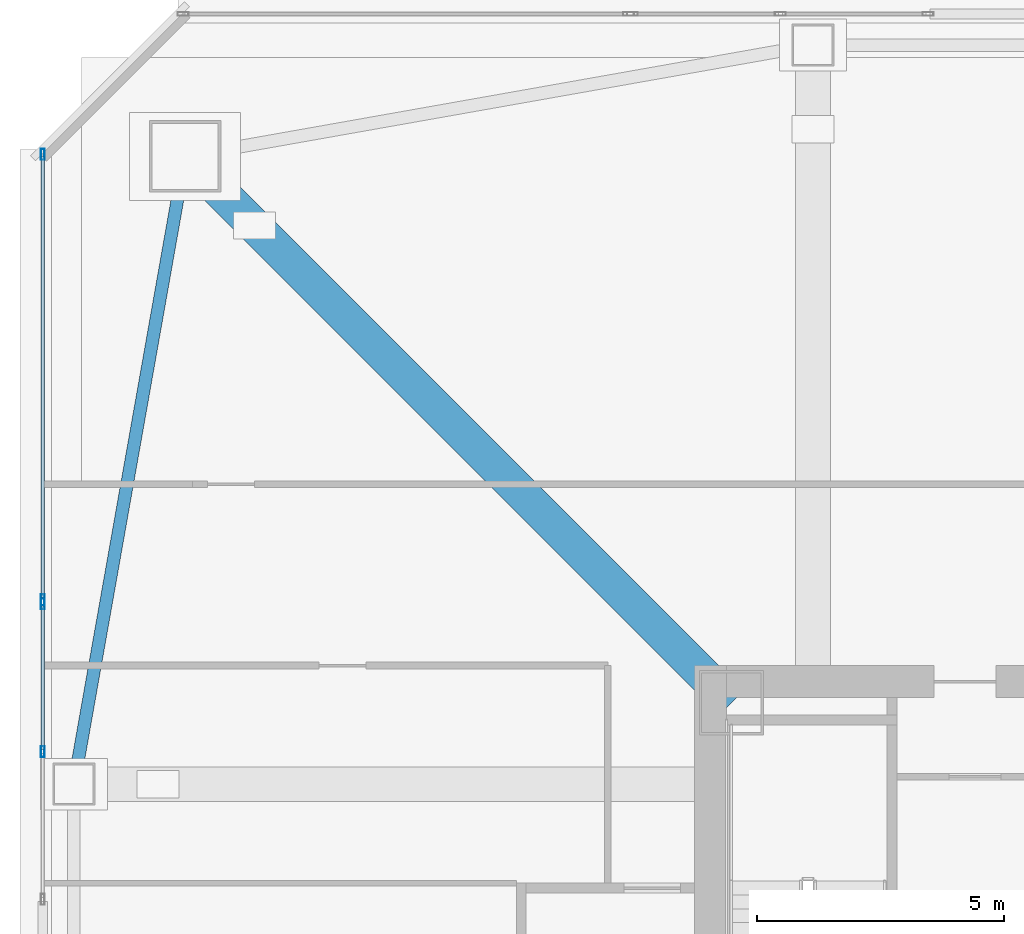
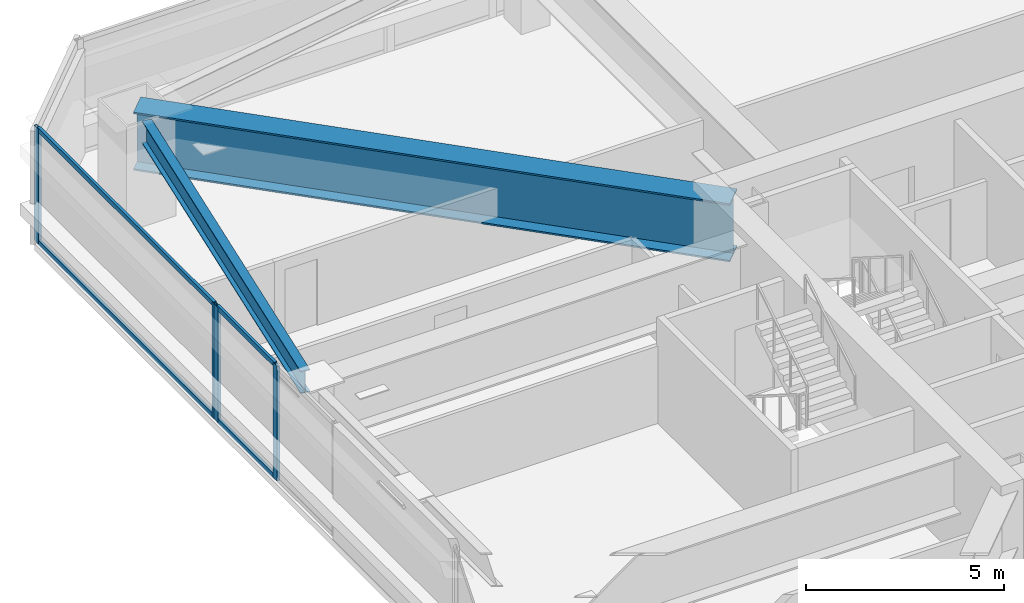
# One storey, part 11 of 49: 8 members, 2 beams, 2 elements without a shape of their own.
"""IFC4 building model written with IfcOpenShell, lengths in metres."""

from ifc_helpers import new_model, si_unit, direction, frame, origin, origin_2d, place, context, subcontext, project, spatial, hollow_rectangle, i_section, extrude, material, material_profile, profile_set, type_object, element, aggregate, save


model = new_model("IFC4")

# Units and contexts
model_context = context("Model", 3, precision=1e-05, world=origin(), true_north=direction((0.0, 1.0)))
body_context = subcontext(model_context, "Body", "Model", "MODEL_VIEW")
ifc_project = project(units=[si_unit("LENGTHUNIT", "METRE"), si_unit("AREAUNIT", "SQUARE_METRE"), si_unit("VOLUMEUNIT", "CUBIC_METRE"), si_unit("PLANEANGLEUNIT", "RADIAN"), si_unit("MASSUNIT", "GRAM", prefix="KILO")], contexts=[model_context])

# Site, building, storey
site_placement = place(None, origin())
site = spatial("IfcSite", under=ifc_project, at=site_placement, CompositionType="ELEMENT")
building_placement = place(site_placement, origin())
building = spatial("IfcBuilding", under=site, at=building_placement, Name="Tashvorn Skyway Center", CompositionType="ELEMENT")
storey_placement = place(building_placement, frame((0.0, 0.0, 106.25)))
storey = spatial("IfcBuildingStorey", under=building, at=storey_placement, Name="L28", CompositionType="ELEMENT", Elevation=106.25)

# Beams
ifc_material_1 = material(Name="Steel ASTM A572 Grade 50", Category="steel")
ifc_material_profile_1 = material_profile(ifc_material_1, i_section(OverallWidth=0.699951171875, OverallDepth=1.800048828125, WebThickness=0.031982421875, FlangeThickness=0.050048828125, at=origin_2d()), Name="PG1800x700")
ifc_profile_set_1 = profile_set([ifc_material_profile_1], Name="Steel ASTM A572 Grade 50")
beam_type_1 = type_object("IfcBeamType", Name="BM-BEAM-PG1800x700", PredefinedType="BEAM", material=ifc_profile_set_1)
beam_1_placement = place(storey_placement, frame((23.89990234375, 50.10009765625, 2.35009765625), z_axis=(0.707106781187, -0.707106781187, 0.0), x_axis=(0.707106781187, 0.707106781187, 0.0)))
element("IfcBeam", 1, at=beam_1_placement, inside=storey, type_object=beam_type_1, Name="Tower 1 L28 Setback Transfer Girder MC-NW", PredefinedType="BEAM", context=body_context, shape_type="SweptSolid", body=[
    extrude(i_section(OverallWidth=0.699951171875, OverallDepth=1.800048828125, WebThickness=0.031982421875, FlangeThickness=0.050048828125, at=origin_2d()), origin(), (0.0, 0.0, 1.0), 15.627197265625),
])
ifc_material_2 = material(Name="Steel ASTM A992 Grade 50", Category="steel")
ifc_material_profile_2 = material_profile(ifc_material_2, i_section(OverallWidth=0.256103515625, OverallDepth=0.693115234375, WebThickness=0.014404296875, FlangeThickness=0.023681640625, at=origin_2d()), Name="W27X114")
ifc_profile_set_2 = profile_set([ifc_material_profile_2], Name="Steel ASTM A992 Grade 50")
beam_type_2 = type_object("IfcBeamType", Name="BM-SPANDREL-W27X114", PredefinedType="SPANDREL", material=ifc_profile_set_2)
beam_2_placement = place(storey_placement, frame((23.7744140625, 49.39111328125, 2.903564453125), z_axis=(-0.174437966698, -0.98466816531, 0.0), x_axis=(0.98466816531, -0.174437966698, 0.0)))
element("IfcBeam", 2, at=beam_2_placement, inside=storey, type_object=beam_type_2, Name="Tower 1 L28 Spandrel Beam 10", PredefinedType="SPANDREL", context=body_context, shape_type="SweptSolid", body=[
    extrude(i_section(OverallWidth=0.256103515625, OverallDepth=0.693115234375, WebThickness=0.014404296875, FlangeThickness=0.023681640625, at=origin_2d()), origin(), (0.0, 0.0, 1.0), 11.7578125),
])

# Curtain wall, members
ifc_material_3 = material(Name="Thermally broken bronze-anodized aluminium 6063-T6", Category="aluminium")
curtain_wall_type = type_object("IfcCurtainWallType", Name="CW-CW-Z2", PredefinedType="NOTDEFINED", material=ifc_material_3)
curtain_wall_1_placement = place(storey_placement, origin())
curtain_wall_1 = element("IfcCurtainWall", 3, at=curtain_wall_1_placement, inside=storey, type_object=curtain_wall_type, Name="Tower 1 L28 West Unitised Curtain Wall Glazing Group 3", PredefinedType="NOTDEFINED")
ifc_material_profile_3 = material_profile(ifc_material_3, hollow_rectangle(XDim=0.080078125, YDim=0.219970703125, WallThickness=0.0048828125, at=origin_2d()), Name="ALU-MULL-80x220")
ifc_profile_set_3 = profile_set([ifc_material_profile_3], Name="Thermally broken bronze-anodized aluminium 6063-T6")
member_type_1 = type_object("IfcMemberType", Name="CWM-CW-Z2", PredefinedType="MULLION", material=ifc_profile_set_3)
member_1_placement = place(storey_placement, frame((21.02001953125, 38.06005859375, 0.0), z_axis=(0.0, 0.0, 1.0), x_axis=(-1.0, 0.0, 0.0)))
member_1 = element("IfcMember", 4, at=member_1_placement, type_object=member_type_1, Name="CW-Z2 mullion 2", PredefinedType="MULLION", context=body_context, shape_type="SweptSolid", body=[
    extrude(hollow_rectangle(XDim=0.080078125, YDim=0.219970703125, WallThickness=0.0048828125, at=origin_2d()), origin(), (0.0, 0.0, 1.0), 3.550048828125),
])
member_2_placement = place(storey_placement, frame((21.02001953125, 41.050048828125, 0.0), z_axis=(0.0, 0.0, 1.0), x_axis=(-1.0, 0.0, 0.0)))
member_2 = element("IfcMember", 5, at=member_2_placement, type_object=member_type_1, Name="CW-Z2 mullion 3", PredefinedType="MULLION", context=body_context, shape_type="SweptSolid", body=[
    extrude(hollow_rectangle(XDim=0.080078125, YDim=0.219970703125, WallThickness=0.0048828125, at=origin_2d()), origin(), (0.0, 0.0, 1.0), 3.550048828125),
])

curtain_wall_2_placement = place(storey_placement, origin())
curtain_wall_2 = element("IfcCurtainWall", 6, at=curtain_wall_2_placement, inside=storey, type_object=curtain_wall_type, Name="Tower 1 L28 West Unitised Curtain Wall Glazing Group 4", PredefinedType="NOTDEFINED")
member_3_placement = place(storey_placement, frame((21.02001953125, 41.1298828125, 0.0), z_axis=(0.0, 0.0, 1.0), x_axis=(-1.0, 0.0, 0.0)))
member_3 = element("IfcMember", 7, at=member_3_placement, type_object=member_type_1, Name="CW-Z2 mullion 1", PredefinedType="MULLION", context=body_context, shape_type="SweptSolid", body=[
    extrude(hollow_rectangle(XDim=0.080078125, YDim=0.219970703125, WallThickness=0.0048828125, at=origin_2d()), origin(), (0.0, 0.0, 1.0), 3.550048828125),
])
member_4_placement = place(storey_placement, frame((21.02001953125, 50.139892578125, 0.0), z_axis=(0.0, 0.0, 1.0), x_axis=(-1.0, 0.0, 0.0)))
member_4 = element("IfcMember", 8, at=member_4_placement, type_object=member_type_1, Name="CW-Z2 mullion 2", PredefinedType="MULLION", context=body_context, shape_type="SweptSolid", body=[
    extrude(hollow_rectangle(XDim=0.080078125, YDim=0.219970703125, WallThickness=0.0048828125, at=origin_2d()), origin(), (0.0, 0.0, 1.0), 3.550048828125),
])

# Member
ifc_material_profile_4 = material_profile(ifc_material_3, hollow_rectangle(XDim=0.080078125, YDim=0.14990234375, WallThickness=0.00439453125, at=origin_2d()), Name="ALU-TRAN-80x150")
ifc_profile_set_4 = profile_set([ifc_material_profile_4], Name="Thermally broken bronze-anodized aluminium 6063-T6")
member_type_2 = type_object("IfcMemberType", Name="CWT-CW-Z2", PredefinedType="USERDEFINED", material=ifc_profile_set_4)
member_5_placement = place(storey_placement, frame((21.02001953125, 38.10009765625, 0.0400390625), z_axis=(0.0, 1.0, 0.0), x_axis=(-1.0, 0.0, 0.0)))
member_5 = element("IfcMember", 9, at=member_5_placement, type_object=member_type_2, Name="CW-Z2 transom 2.1", ObjectType="TRANSOM", PredefinedType="USERDEFINED", context=body_context, shape_type="SweptSolid", body=[
    extrude(hollow_rectangle(XDim=0.080078125, YDim=0.14990234375, WallThickness=0.00439453125, at=origin_2d()), origin(), (0.0, 0.0, 1.0), 2.909912109375),
])

member_6_placement = place(storey_placement, frame((21.02001953125, 38.10009765625, 3.510009765625), z_axis=(0.0, 1.0, 0.0), x_axis=(-1.0, 0.0, 0.0)))
member_6 = element("IfcMember", 10, at=member_6_placement, type_object=member_type_2, Name="CW-Z2 transom 2.2", ObjectType="TRANSOM", PredefinedType="USERDEFINED", context=body_context, shape_type="SweptSolid", body=[
    extrude(hollow_rectangle(XDim=0.080078125, YDim=0.14990234375, WallThickness=0.00439453125, at=origin_2d()), origin(), (0.0, 0.0, 1.0), 2.909912109375),
])

aggregate(curtain_wall_1, [member_1, member_2, member_5, member_6])

member_7_placement = place(storey_placement, frame((21.02001953125, 41.169921875, 0.0400390625), z_axis=(0.0, 1.0, 0.0), x_axis=(-1.0, 0.0, 0.0)))
member_7 = element("IfcMember", 11, at=member_7_placement, type_object=member_type_2, Name="CW-Z2 transom 1.1", ObjectType="TRANSOM", PredefinedType="USERDEFINED", context=body_context, shape_type="SweptSolid", body=[
    extrude(hollow_rectangle(XDim=0.080078125, YDim=0.14990234375, WallThickness=0.00439453125, at=origin_2d()), origin(), (0.0, 0.0, 1.0), 8.93017578125),
])

member_8_placement = place(storey_placement, frame((21.02001953125, 41.169921875, 3.510009765625), z_axis=(0.0, 1.0, 0.0), x_axis=(-1.0, 0.0, 0.0)))
member_8 = element("IfcMember", 12, at=member_8_placement, type_object=member_type_2, Name="CW-Z2 transom 1.2", ObjectType="TRANSOM", PredefinedType="USERDEFINED", context=body_context, shape_type="SweptSolid", body=[
    extrude(hollow_rectangle(XDim=0.080078125, YDim=0.14990234375, WallThickness=0.00439453125, at=origin_2d()), origin(), (0.0, 0.0, 1.0), 8.93017578125),
])

aggregate(curtain_wall_2, [member_3, member_4, member_7, member_8])

save(model, "model.ifc")
